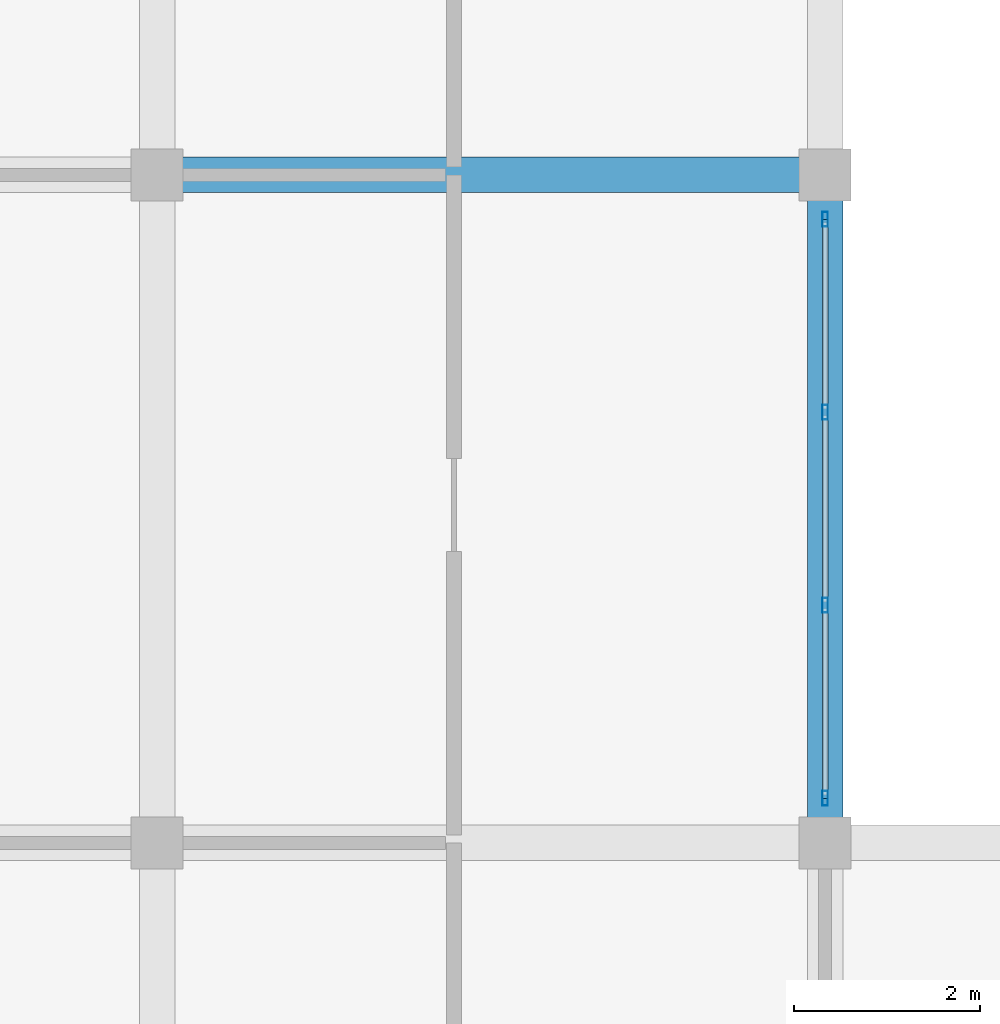
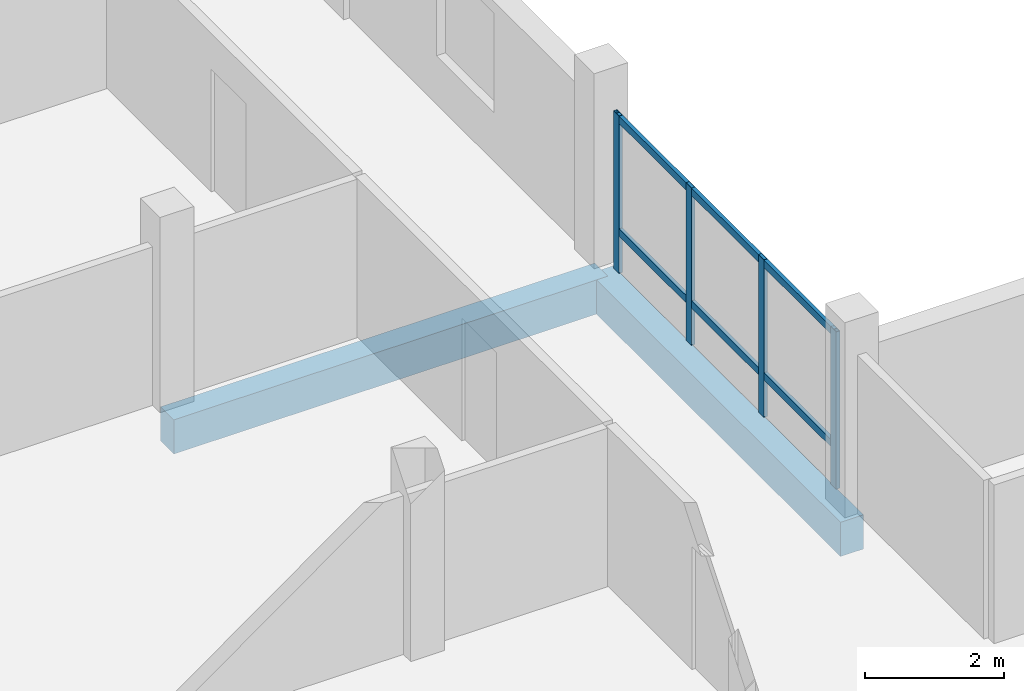
# One storey, part 5 of 84: 6 members, 2 beams, 1 element without a shape of its own.
"""IFC4 building model written with IfcOpenShell, lengths in metres."""

from ifc_helpers import new_model, si_unit, direction, frame, origin, origin_2d, place, context, subcontext, project, spatial, rectangle, hollow_rectangle, extrude, material, material_profile, profile_set, type_object, element, aggregate, save


model = new_model("IFC4")

# Units and contexts
model_context = context("Model", 3, precision=1e-05, world=origin(), true_north=direction((0.0, 1.0)))
body_context = subcontext(model_context, "Body", "Model", "MODEL_VIEW")
ifc_project = project(units=[si_unit("LENGTHUNIT", "METRE"), si_unit("AREAUNIT", "SQUARE_METRE"), si_unit("VOLUMEUNIT", "CUBIC_METRE"), si_unit("PLANEANGLEUNIT", "RADIAN"), si_unit("MASSUNIT", "GRAM", prefix="KILO")], contexts=[model_context])

# Site, building, storey
site_placement = place(None, origin())
site = spatial("IfcSite", under=ifc_project, at=site_placement, CompositionType="ELEMENT")
building_placement = place(site_placement, origin())
building = spatial("IfcBuilding", under=site, at=building_placement, Name="Zornivar Specialist Clinic", CompositionType="ELEMENT")
storey_placement = place(building_placement, frame((0.0, 0.0, 12.300048828125)))
storey = spatial("IfcBuildingStorey", under=building, at=storey_placement, Name="L03", CompositionType="ELEMENT", Elevation=12.300048828125)

# Beams
ifc_material_1 = material(Name="Concrete C30/37", Category="concrete")
ifc_material_profile_1 = material_profile(ifc_material_1, rectangle(XDim=0.3798828125, YDim=0.60009765625, at=origin_2d()), Name="RC 380x600")
ifc_profile_set_1 = profile_set([ifc_material_profile_1], Name="Concrete C30/37")
beam_type = type_object("IfcBeamType", Name="BM-RC-380x600", PredefinedType="BEAM", material=ifc_profile_set_1)
beam_1_placement = place(storey_placement, frame((7.199951171875, 21.60009765625, -0.580078125), z_axis=(1.0, 0.0, 0.0), x_axis=(0.0, 1.0, 0.0)))
element("IfcBeam", 1, at=beam_1_placement, inside=storey, type_object=beam_type, Name="bm:V2:L03:x:216:1", PredefinedType="BEAM", context=body_context, shape_type="SweptSolid", body=[
    extrude(rectangle(XDim=0.3798828125, YDim=0.60009765625, at=origin_2d()), origin(), (0.0, 0.0, 1.0), 7.199951171875),
])
beam_2_placement = place(storey_placement, frame((14.39990234375, 14.39990234375, -0.580078125), z_axis=(0.0, 1.0, 0.0), x_axis=(-1.0, 0.0, 0.0)))
element("IfcBeam", 2, at=beam_2_placement, inside=storey, type_object=beam_type, Name="bm:V2:L03:y:144:2", PredefinedType="BEAM", context=body_context, shape_type="SweptSolid", body=[
    extrude(rectangle(XDim=0.3798828125, YDim=0.60009765625, at=origin_2d()), origin(), (0.0, 0.0, 1.0), 7.2001953125),
])

# Curtain wall, members
ifc_material_2 = material(Name="Aluminium and Low-E Glass Curtain Wall", Category="aluminium")
curtain_wall_type = type_object("IfcCurtainWallType", Name="CW-REVAK-COURT", PredefinedType="NOTDEFINED", material=ifc_material_2)
curtain_wall_placement = place(storey_placement, origin())
curtain_wall = element("IfcCurtainWall", 3, at=curtain_wall_placement, inside=storey, type_object=curtain_wall_type, Name="cw:V2:L03:12", PredefinedType="NOTDEFINED")
ifc_material_3 = material(Name="Aluminium AW-6060", Category="aluminium")
ifc_material_profile_2 = material_profile(ifc_material_3, hollow_rectangle(XDim=0.06005859375, YDim=0.159912109375, WallThickness=0.00390625, at=origin_2d()), Name="ALU 60x160x4")
ifc_profile_set_2 = profile_set([ifc_material_profile_2], Name="Aluminium AW-6060")
member_type_1 = type_object("IfcMemberType", Name="CWM-MUL-160", PredefinedType="MULLION", material=ifc_profile_set_2)
member_1_placement = place(storey_placement, frame((14.39990234375, 14.8798828125, 0.0), z_axis=(0.0, 0.0, 1.0), x_axis=(1.0, 0.0, 0.0)))
member_1 = element("IfcMember", 4, at=member_1_placement, type_object=member_type_1, Name="cw:V2:L03:12:mul:0", PredefinedType="MULLION", context=body_context, shape_type="SweptSolid", body=[
    extrude(hollow_rectangle(XDim=0.06005859375, YDim=0.159912109375, WallThickness=0.00390625, at=origin_2d()), origin(), (0.0, 0.0, 1.0), 2.760009765625),
])
member_2_placement = place(storey_placement, frame((14.39990234375, 16.9599609375, 0.0), z_axis=(0.0, 0.0, 1.0), x_axis=(1.0, 0.0, 0.0)))
member_2 = element("IfcMember", 5, at=member_2_placement, type_object=member_type_1, Name="cw:V2:L03:12:mul:1", PredefinedType="MULLION", context=body_context, shape_type="SweptSolid", body=[
    extrude(hollow_rectangle(XDim=0.06005859375, YDim=0.159912109375, WallThickness=0.00390625, at=origin_2d()), origin(), (0.0, 0.0, 1.0), 2.760009765625),
])
member_3_placement = place(storey_placement, frame((14.39990234375, 19.0400390625, 0.0), z_axis=(0.0, 0.0, 1.0), x_axis=(1.0, 0.0, 0.0)))
member_3 = element("IfcMember", 6, at=member_3_placement, type_object=member_type_1, Name="cw:V2:L03:12:mul:2", PredefinedType="MULLION", context=body_context, shape_type="SweptSolid", body=[
    extrude(hollow_rectangle(XDim=0.06005859375, YDim=0.159912109375, WallThickness=0.00390625, at=origin_2d()), origin(), (0.0, 0.0, 1.0), 2.760009765625),
])
member_4_placement = place(storey_placement, frame((14.39990234375, 21.1201171875, 0.0), z_axis=(0.0, 0.0, 1.0), x_axis=(1.0, 0.0, 0.0)))
member_4 = element("IfcMember", 7, at=member_4_placement, type_object=member_type_1, Name="cw:V2:L03:12:mul:3", PredefinedType="MULLION", context=body_context, shape_type="SweptSolid", body=[
    extrude(hollow_rectangle(XDim=0.06005859375, YDim=0.159912109375, WallThickness=0.00390625, at=origin_2d()), origin(), (0.0, 0.0, 1.0), 2.760009765625),
])
ifc_material_4 = material(Name="Aluminium AW-6060", Category="aluminium")
ifc_material_profile_3 = material_profile(ifc_material_4, hollow_rectangle(XDim=0.06005859375, YDim=0.1298828125, WallThickness=0.00390625, at=origin_2d()), Name="ALU 60x130x4")
ifc_profile_set_3 = profile_set([ifc_material_profile_3], Name="Aluminium AW-6060")
member_type_2 = type_object("IfcMemberType", Name="CWM-TRN-130", PredefinedType="USERDEFINED", material=ifc_profile_set_3)
member_5_placement = place(storey_placement, frame((14.39990234375, 14.8798828125, 0.718017578125), z_axis=(0.0, 1.0, 0.0), x_axis=(-1.0, 0.0, 0.0)))
member_5 = element("IfcMember", 8, at=member_5_placement, type_object=member_type_2, Name="cw:V2:L03:12:trn:0", ObjectType="TRANSOM", PredefinedType="USERDEFINED", context=body_context, shape_type="SweptSolid", body=[
    extrude(hollow_rectangle(XDim=0.06005859375, YDim=0.1298828125, WallThickness=0.00390625, at=origin_2d()), origin(), (0.0, 0.0, 1.0), 6.240234375),
])
member_6_placement = place(storey_placement, frame((14.39990234375, 14.8798828125, 2.695068359375), z_axis=(0.0, 1.0, 0.0), x_axis=(-1.0, 0.0, 0.0)))
member_6 = element("IfcMember", 9, at=member_6_placement, type_object=member_type_2, Name="cw:V2:L03:12:trn:1", ObjectType="TRANSOM", PredefinedType="USERDEFINED", context=body_context, shape_type="SweptSolid", body=[
    extrude(hollow_rectangle(XDim=0.06005859375, YDim=0.1298828125, WallThickness=0.00390625, at=origin_2d()), origin(), (0.0, 0.0, 1.0), 6.240234375),
])
aggregate(curtain_wall, [member_1, member_2, member_3, member_4, member_5, member_6])

save(model, "model.ifc")
